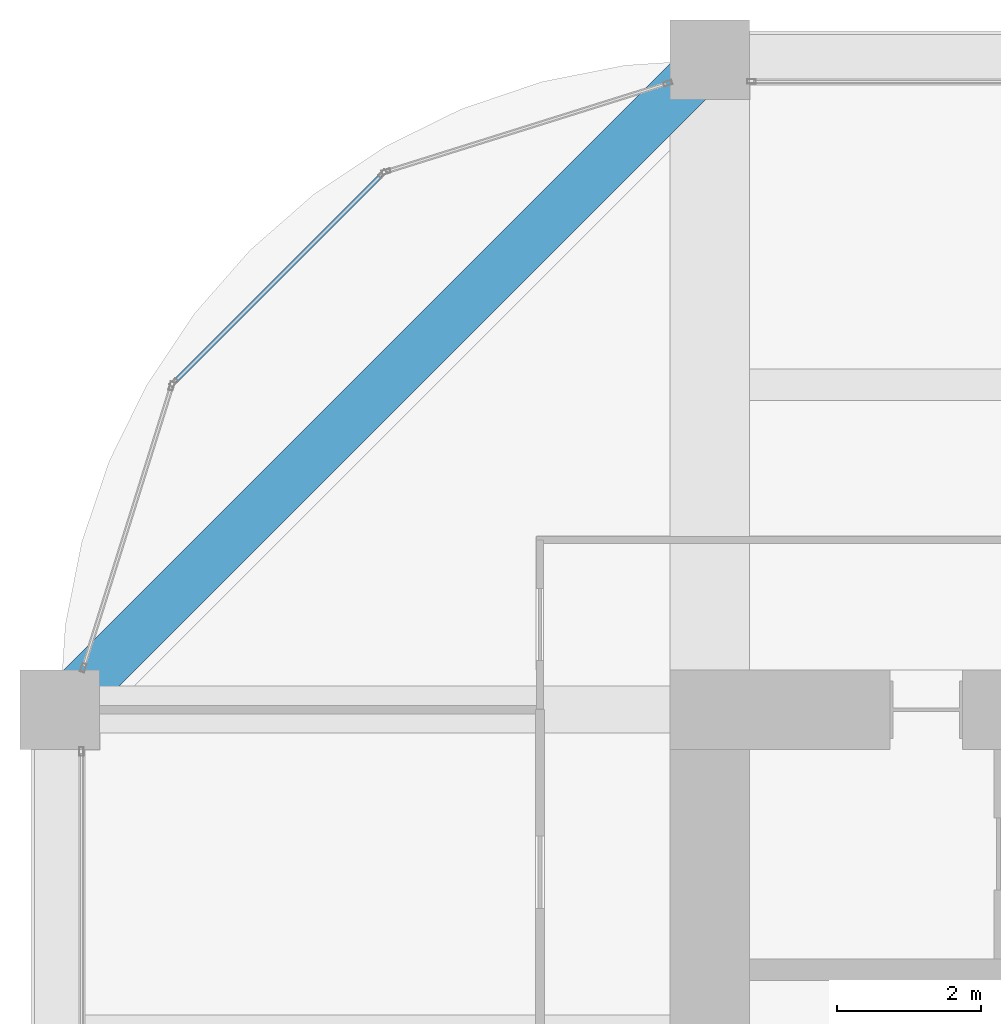
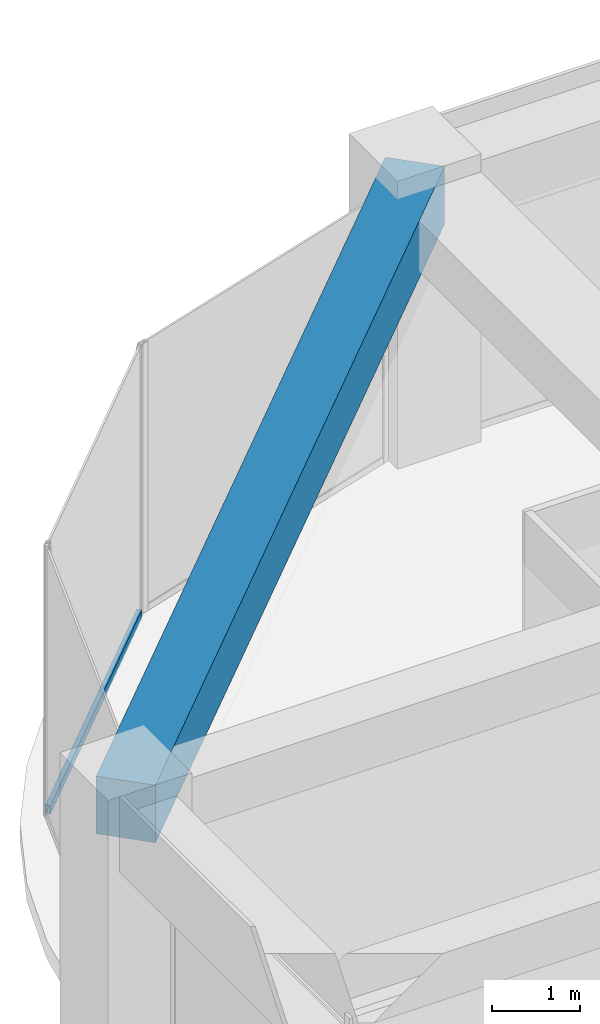
# One storey, part 29 of 44: 1 beam, 1 member, 1 element without a shape of its own.
"""IFC4 building model written with IfcOpenShell, lengths in metres."""

import ifcopenshell
import ifcopenshell.guid

model = None  # the IFC model being written
_history = None  # IfcOwnerHistory: only IFC2X3 demands one
_inside = {}  # id of a spatial element -> (the spatial element, [elements in it])
_under = {}  # id of a project, library or spatial element -> (it, [spatial elements below it])
_declared = {}  # id of a project -> (the project, [libraries it declares])
_typed = {}  # id of a type object -> (the type object, [elements of that type])
_made_of = {}  # id of a material, layer set ... -> (it, [elements and type objects made of it])


def new_model(schema):
    """Start an empty IFC model of exactly this schema.

    Asked for "IFC4X3", IfcOpenShell would pick the latest addendum, in which some entities
    have other attributes; the version numbers below select the first issue.
    IFC2X3 requires an IfcOwnerHistory on every rooted entity: one is made here for all.
    """
    global model, _history
    if schema == "IFC4X3":
        model = ifcopenshell.file(schema_version=(4, 3, 0, 0))
    else:
        model = ifcopenshell.file(schema=schema)
    _inside.clear()
    _under.clear()
    _declared.clear()
    _typed.clear()
    _made_of.clear()
    _history = None
    if model.schema == "IFC2X3":
        org = make("IfcOrganization", Name="unknown")
        user = make(
            "IfcPersonAndOrganization",
            ThePerson=make("IfcPerson", FamilyName="unknown"),
            TheOrganization=org,
        )
        app = make(
            "IfcApplication",
            ApplicationDeveloper=org,
            Version="unknown",
            ApplicationFullName="unknown",
            ApplicationIdentifier="unknown",
        )
        _history = make(
            "IfcOwnerHistory",
            OwningUser=user,
            OwningApplication=app,
            ChangeAction="ADDED",
            CreationDate=0,
        )
    return model


def make(cls, **values):
    """One entity of the class cls with the attributes given. An attribute that is None is left unset."""
    return model.create_entity(
        cls, **{name: value for name, value in values.items() if value is not None}
    )


def rooted(cls, **values):
    """An entity with a GlobalId (a new one), such as an element, a storey or a relation."""
    return make(cls, GlobalId=ifcopenshell.guid.new(), OwnerHistory=_history, **values)


def si_unit(unit_type, name, prefix=None):
    """IfcSIUnit, for example si_unit("LENGTHUNIT", "METRE", prefix="MILLI")."""
    return make("IfcSIUnit", UnitType=unit_type, Prefix=prefix, Name=name)


def assignment(units):
    """IfcUnitAssignment: the units of a project."""
    return None if units is None else make("IfcUnitAssignment", Units=units)


def point(xyz):
    """IfcCartesianPoint."""
    return None if xyz is None else make("IfcCartesianPoint", Coordinates=xyz)


def direction(xyz):
    """IfcDirection."""
    return None if xyz is None else make("IfcDirection", DirectionRatios=xyz)


def frame(location, z_axis=None, x_axis=None):
    """IfcAxis2Placement3D, a coordinate frame: its origin and axes. An axis left out is left unset."""
    return make(
        "IfcAxis2Placement3D",
        Location=point(location),
        Axis=direction(z_axis),
        RefDirection=direction(x_axis),
    )


def frame_2d(location, x_axis=None):
    """IfcAxis2Placement2D, a coordinate frame in the plane: its origin and x axis."""
    return make(
        "IfcAxis2Placement2D", Location=point(location), RefDirection=direction(x_axis)
    )


def origin():
    """The frame at (0, 0, 0) with its axes left unset."""
    return frame((0.0, 0.0, 0.0))


def origin_2d():
    """The frame at (0, 0) in the plane with its x axis left unset."""
    return frame_2d((0.0, 0.0))


def place(relative_to, where):
    """IfcLocalPlacement: puts the frame where relative to a parent placement (None: the world)."""
    return make(
        "IfcLocalPlacement", PlacementRelTo=relative_to, RelativePlacement=where
    )


def context(
    kind, dimensions, precision=None, world=None, true_north=None, identifier=None
):
    """IfcGeometricRepresentationContext, for example the 3D "Model" context."""
    return make(
        "IfcGeometricRepresentationContext",
        ContextIdentifier=identifier,
        ContextType=kind,
        CoordinateSpaceDimension=dimensions,
        Precision=precision,
        WorldCoordinateSystem=world,
        TrueNorth=true_north,
    )


def subcontext(parent, identifier, kind, view, scale=None):
    """IfcGeometricRepresentationSubContext, for example "Body" below "Model"."""
    return make(
        "IfcGeometricRepresentationSubContext",
        ContextIdentifier=identifier,
        ContextType=kind,
        ParentContext=parent,
        TargetScale=scale,
        TargetView=view,
    )


def project(units=None, contexts=None):
    """IfcProject with its units and contexts."""
    return rooted(
        "IfcProject",
        Name="project",
        RepresentationContexts=contexts,
        UnitsInContext=assignment(units),
    )


def spatial(cls, under=None, at=None, **own):
    """A site, building, storey or space (cls), placed at a placement, below another one or the project."""
    s = rooted(cls, ObjectPlacement=at, **own)
    if under is not None:
        _under.setdefault(under.id(), (under, []))[1].append(s)
    return s


def profile(cls, at=None, kind="AREA", **sizes):
    """A parametric profile (cls). Its sizes go by their IFC names, for example OverallWidth=200.0."""
    return make(cls, ProfileType=kind, Position=at, **sizes)


def rectangle(**sizes):
    """IfcRectangleProfileDef."""
    return profile("IfcRectangleProfileDef", **sizes)


def hollow_rectangle(**sizes):
    """IfcRectangleHollowProfileDef."""
    return profile("IfcRectangleHollowProfileDef", **sizes)


def extrude(swept, where, along, depth):
    """IfcExtrudedAreaSolid: the profile swept, set in the frame where, extruded along a direction by depth."""
    return make(
        "IfcExtrudedAreaSolid",
        SweptArea=swept,
        Position=where,
        ExtrudedDirection=direction(along),
        Depth=depth,
    )


def shape(context_of_items, identifier, shape_type, items):
    """IfcShapeRepresentation: the items that make up one representation, for example the "Body"."""
    return make(
        "IfcShapeRepresentation",
        ContextOfItems=context_of_items,
        RepresentationIdentifier=identifier,
        RepresentationType=shape_type,
        Items=items,
    )


def material(Name=None, Category=None):
    """IfcMaterial."""
    return make("IfcMaterial", Name=Name, Category=Category)


def material_profile(
    of_material, cross_section, Name=None, Category=None, Priority=None
):
    """IfcMaterialProfile: a cross section and its material."""
    return make(
        "IfcMaterialProfile",
        Name=Name,
        Material=of_material,
        Profile=cross_section,
        Priority=Priority,
        Category=Category,
    )


def profile_set(profiles, Name=None, composite=None):
    """IfcMaterialProfileSet."""
    return make(
        "IfcMaterialProfileSet",
        Name=Name,
        MaterialProfiles=profiles,
        CompositeProfile=composite,
    )


def made_of(thing, what):
    """Note that an element or type object is made of a material, layer set ...; save() writes the relation."""
    if what is not None:
        _made_of.setdefault(what.id(), (what, []))[1].append(thing)
    return thing


def type_object(cls, material=None, **own):
    """A type object (cls), such as IfcWallType, which elements share."""
    return made_of(rooted(cls, **own), material)


def element(
    cls,
    number,
    at=None,
    inside=None,
    cuts=None,
    type_object=None,
    material=None,
    context=None,
    identifier="Body",
    shape_type=None,
    held_by="IfcProductDefinitionShape",
    body=None,
    shapes=None,
    **own,
):
    """One element of the class cls, such as IfcWall. Its Tag is "e" and its number.

    at: its placement. inside: the storey or other place that contains it. cuts: it is an
    opening in that element (IfcRelVoidsElement). A single representation is given by context,
    identifier, shape_type and body (its items); several are given by shapes. held_by: the class
    of the entity that holds the representations. save() writes the other relations.
    """
    e = rooted(cls, Tag="e%d" % number, ObjectPlacement=at, **own)
    if body is not None:
        shapes = [shape(context, identifier, shape_type, body)]
    if shapes is not None:
        e.Representation = make(held_by, Representations=shapes)
    if inside is not None:
        _inside.setdefault(inside.id(), (inside, []))[1].append(e)
    if cuts is not None:
        rooted(
            "IfcRelVoidsElement", RelatingBuildingElement=cuts, RelatedOpeningElement=e
        )
    if type_object is not None:
        _typed.setdefault(type_object.id(), (type_object, []))[1].append(e)
    return made_of(e, material)


def aggregate(whole, parts):
    """IfcRelAggregates: a whole, such as a stair, and the parts it consists of."""
    return rooted("IfcRelAggregates", RelatingObject=whole, RelatedObjects=parts)


def save(model, path):
    """Write the relations noted so far, then the file.

    IfcRelAggregates (storeys below a building ...), IfcRelContainedInSpatialStructure (elements
    in a storey), IfcRelDefinesByType, IfcRelAssociatesMaterial and IfcRelDeclares: one each for
    every whole, place, type object, material and project.
    """
    for whole, parts in _under.values():
        aggregate(whole, parts)
    for where, things in _inside.values():
        rooted(
            "IfcRelContainedInSpatialStructure",
            RelatedElements=things,
            RelatingStructure=where,
        )
    for kind, things in _typed.values():
        rooted("IfcRelDefinesByType", RelatedObjects=things, RelatingType=kind)
    for what, things in _made_of.values():
        rooted("IfcRelAssociatesMaterial", RelatedObjects=things, RelatingMaterial=what)
    for by, libraries in _declared.values():
        rooted("IfcRelDeclares", RelatingContext=by, RelatedDefinitions=libraries)
    model.write(path)


model = new_model("IFC4")

# Units and contexts
model_context = context("Model", 3, precision=1e-05, world=origin(), true_north=direction((0.0, 1.0)))
body_context = subcontext(model_context, "Body", "Model", "MODEL_VIEW")
ifc_project = project(units=[si_unit("LENGTHUNIT", "METRE"), si_unit("AREAUNIT", "SQUARE_METRE"), si_unit("VOLUMEUNIT", "CUBIC_METRE"), si_unit("PLANEANGLEUNIT", "RADIAN"), si_unit("MASSUNIT", "GRAM", prefix="KILO")], contexts=[model_context])

# Site, building, storey
site_placement = place(None, origin())
site = spatial("IfcSite", under=ifc_project, at=site_placement, CompositionType="ELEMENT")
building_placement = place(site_placement, origin())
building = spatial("IfcBuilding", under=site, at=building_placement, Name="Zorevar Civic Tower", CompositionType="ELEMENT")
storey_placement = place(building_placement, frame((0.0, 0.0, 259.39990234375)))
storey = spatial("IfcBuildingStorey", under=building, at=storey_placement, Name="L63", CompositionType="ELEMENT", Elevation=259.39990234375)

# Curtain wall, member
ifc_material_1 = material(Name="Dark grey solar-control glass in black aluminium frame", Category="aluminium")
curtain_wall_type = type_object("IfcCurtainWallType", Name="Curtain wall CW5 top zone", PredefinedType="NOTDEFINED", material=ifc_material_1)
curtain_wall_placement = place(storey_placement, origin())
curtain_wall = element("IfcCurtainWall", 1, at=curtain_wall_placement, inside=storey, type_object=curtain_wall_type, Name="CW5 L63", PredefinedType="NOTDEFINED")
ifc_material_2 = material(Name="Aluminium, black anodised", Category="aluminium")
ifc_material_profile_1 = material_profile(ifc_material_2, hollow_rectangle(XDim=0.06005859375, YDim=0.1201171875, WallThickness=0.0029296875, at=origin_2d()), Name="AL 120x60x3")
ifc_profile_set_1 = profile_set([ifc_material_profile_1], Name="Aluminium, black anodised")
member_type = type_object("IfcMemberType", Name="CW5 transom AL 120x60x3", PredefinedType="USERDEFINED", material=ifc_profile_set_1)
member_placement = place(storey_placement, frame((13.44970703125, 43.3984375, 0.030029296875), z_axis=(-0.707106781187, -0.707106781187, 0.0), x_axis=(0.707106781187, -0.707106781187, 0.0)))
member = element("IfcMember", 2, at=member_placement, type_object=member_type, Name="CW5 sill transom", ObjectType="TRANSOM", PredefinedType="USERDEFINED", context=body_context, shape_type="SweptSolid", body=[
    extrude(hollow_rectangle(XDim=0.06005859375, YDim=0.1201171875, WallThickness=0.0029296875, at=origin_2d()), origin(), (0.0, 0.0, 1.0), 4.02783203125),
])
aggregate(curtain_wall, [member])

# Beam
ifc_material_3 = material(Name="Concrete C50/60", Category="concrete")
ifc_material_profile_2 = material_profile(ifc_material_3, rectangle(XDim=0.699951171875, YDim=0.800048828125, at=origin_2d()), Name="RC 700x800")
ifc_profile_set_2 = profile_set([ifc_material_profile_2], Name="Concrete C50/60")
beam_type = type_object("IfcBeamType", Name="Edge beam RC 700x800", PredefinedType="SPANDREL", material=ifc_profile_set_2)
beam_placement = place(storey_placement, frame((18.0, 45.0, 3.35009765625), z_axis=(-0.707106781187, -0.707106781187, 0.0), x_axis=(0.707106781187, -0.707106781187, 0.0)))
element("IfcBeam", 3, at=beam_placement, inside=storey, type_object=beam_type, Name="Corner edge beam L64", PredefinedType="SPANDREL", context=body_context, shape_type="SweptSolid", body=[
    extrude(rectangle(XDim=0.699951171875, YDim=0.800048828125, at=origin_2d()), origin(), (0.0, 0.0, 1.0), 12.72802734375),
])

save(model, "model.ifc")
